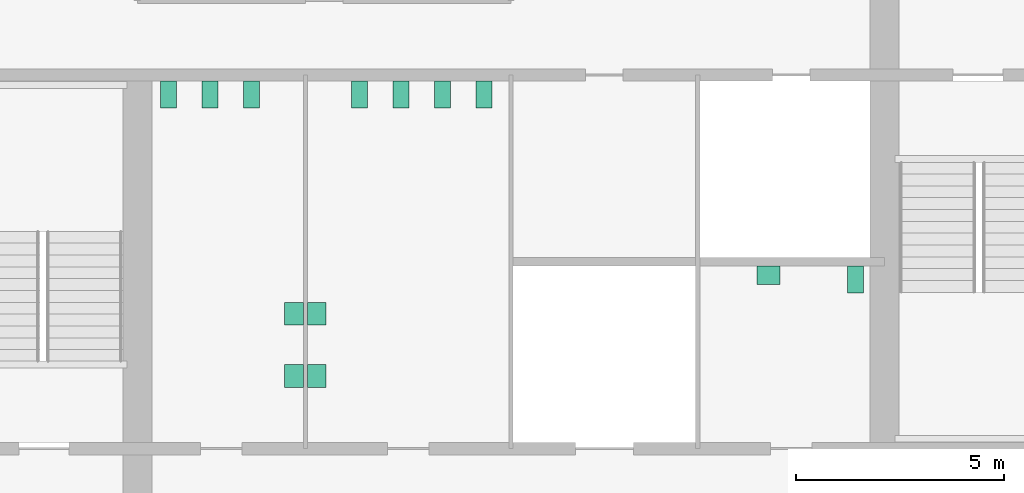
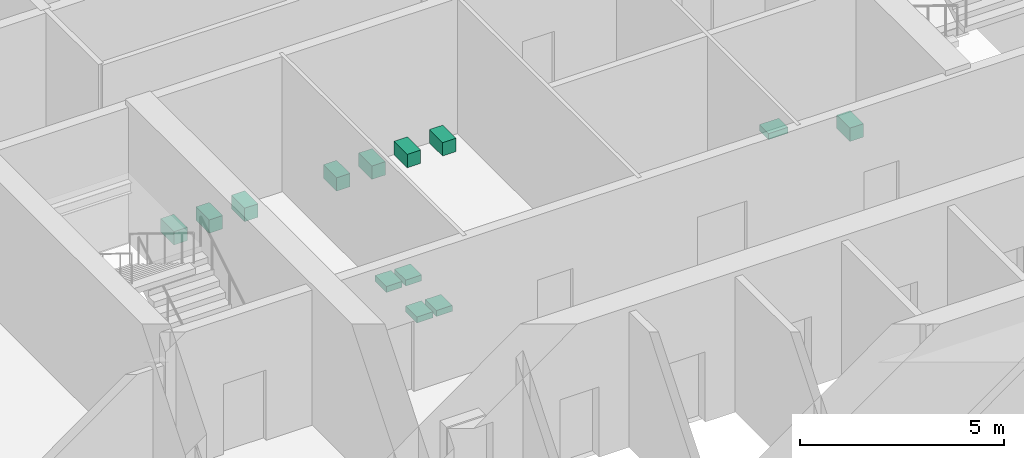
# One storey, part 12 of 12: 13 sanitary terminals.
"""IFC4 building model written with IfcOpenShell, lengths in metres."""

from ifc_helpers import new_model, si_unit, direction, frame, origin, origin_2d, place, context, subcontext, project, spatial, rectangle, extrude, material, type_object, element, save


model = new_model("IFC4")

# Units and contexts
model_context = context("Model", 3, precision=1e-05, world=origin(), true_north=direction((0.0, 1.0)))
body_context = subcontext(model_context, "Body", "Model", "MODEL_VIEW")
ifc_project = project(units=[si_unit("LENGTHUNIT", "METRE"), si_unit("AREAUNIT", "SQUARE_METRE"), si_unit("VOLUMEUNIT", "CUBIC_METRE"), si_unit("PLANEANGLEUNIT", "RADIAN"), si_unit("MASSUNIT", "GRAM", prefix="KILO")], contexts=[model_context])

# Site, building, storey
site_placement = place(None, origin())
site = spatial("IfcSite", under=ifc_project, at=site_placement, CompositionType="ELEMENT")
building_placement = place(site_placement, origin())
building = spatial("IfcBuilding", under=site, at=building_placement, Name="Corais Broadcast Tower", CompositionType="ELEMENT")
storey_placement = place(building_placement, frame((0.0, 0.0, 33.199951171875)))
storey = spatial("IfcBuildingStorey", under=building, at=storey_placement, Name="L06", CompositionType="ELEMENT", Elevation=33.199951171875)

# Sanitary terminals
ifc_material_1 = material(Name="Vitreous china", Category="ceramic")
sanitary_terminal_type_1 = type_object("IfcSanitaryTerminalType", Name="WC pan 380x650", PredefinedType="TOILETPAN", material=ifc_material_1)
for number, where, z_axis, x_axis, name in (
    (1, (18.75, 31.02490234375, 0.0), (0.0, 0.0, 1.0), (1.0, 0.0, 0.0), "SW1 WC pan, male toilets L06"),
    (2, (19.75, 31.02490234375, 0.0), (0.0, 0.0, 1.0), (1.0, 0.0, 0.0), "SW1 WC pan, male toilets L06"),
    (3, (20.75, 31.02490234375, 0.0), (0.0, 0.0, 1.0), (1.0, 0.0, 0.0), "SW1 WC pan, male toilets L06"),
    (4, (23.35009765625, 31.02490234375, 0.0), (0.0, 0.0, 1.0), (1.0, 0.0, 0.0), "SW1 WC pan, female toilets L06"),
    (5, (24.35009765625, 31.02490234375, 0.0), (0.0, 0.0, 1.0), (1.0, 0.0, 0.0), "SW1 WC pan, female toilets L06"),
    (6, (25.35009765625, 31.02490234375, 0.0), (0.0, 0.0, 1.0), (1.0, 0.0, 0.0), "SW1 WC pan, female toilets L06"),
    (7, (26.35009765625, 31.02490234375, 0.0), (0.0, 0.0, 1.0), (1.0, 0.0, 0.0), "SW1 WC pan, female toilets L06"),
    (8, (35.300048828125, 26.574951171875, 0.0), (0.0, 0.0, 1.0), (1.0, 0.0, 0.0), "SW1 WC pan, accessible WC L06"),
):
    element("IfcSanitaryTerminal", number, at=place(storey_placement, frame(where, z_axis=z_axis, x_axis=x_axis)), inside=storey, type_object=sanitary_terminal_type_1, Name=name, PredefinedType="TOILETPAN", context=body_context, shape_type="SweptSolid", body=[
        extrude(rectangle(XDim=0.3798828125, YDim=0.64990234375, at=origin_2d()), origin(), (0.0, 0.0, 1.0), 0.39990234375),
    ])
ifc_material_2 = material(Name="Vitreous china", Category="ceramic")
sanitary_terminal_type_2 = type_object("IfcSanitaryTerminalType", Name="Wash basin 550x450", PredefinedType="WASHHANDBASIN", material=ifc_material_2)
for number, where, z_axis, x_axis, name in (
    (9, (21.77490234375, 24.25, 0.7001953125), (0.0, 0.0, 1.0), (1.0, 0.0, 0.0), "WB1 wash basin, male toilets L06"),
    (10, (21.77490234375, 25.75, 0.7001953125), (0.0, 0.0, 1.0), (1.0, 0.0, 0.0), "WB1 wash basin, male toilets L06"),
    (11, (22.324951171875, 24.25, 0.7001953125), (0.0, 0.0, 1.0), (1.0, 0.0, 0.0), "WB1 wash basin, female toilets L06"),
    (12, (22.324951171875, 25.75, 0.7001953125), (0.0, 0.0, 1.0), (1.0, 0.0, 0.0), "WB1 wash basin, female toilets L06"),
):
    element("IfcSanitaryTerminal", number, at=place(storey_placement, frame(where, z_axis=z_axis, x_axis=x_axis)), inside=storey, type_object=sanitary_terminal_type_2, Name=name, PredefinedType="WASHHANDBASIN", context=body_context, shape_type="SweptSolid", body=[
        extrude(rectangle(XDim=0.449951171875, YDim=0.550048828125, at=origin_2d()), origin(), (0.0, 0.0, 1.0), 0.179931640625),
    ])
sanitary_terminal_placement = place(storey_placement, frame((33.199951171875, 26.675048828125, 0.7001953125), z_axis=(0.0, 0.0, 1.0), x_axis=(1.0, 0.0, 0.0)))
element("IfcSanitaryTerminal", 13, at=sanitary_terminal_placement, inside=storey, type_object=sanitary_terminal_type_2, Name="WB1 wash basin, accessible WC L06", PredefinedType="WASHHANDBASIN", context=body_context, shape_type="SweptSolid", body=[
    extrude(rectangle(XDim=0.550048828125, YDim=0.449951171875, at=origin_2d()), origin(), (0.0, 0.0, 1.0), 0.179931640625),
])

save(model, "model.ifc")
